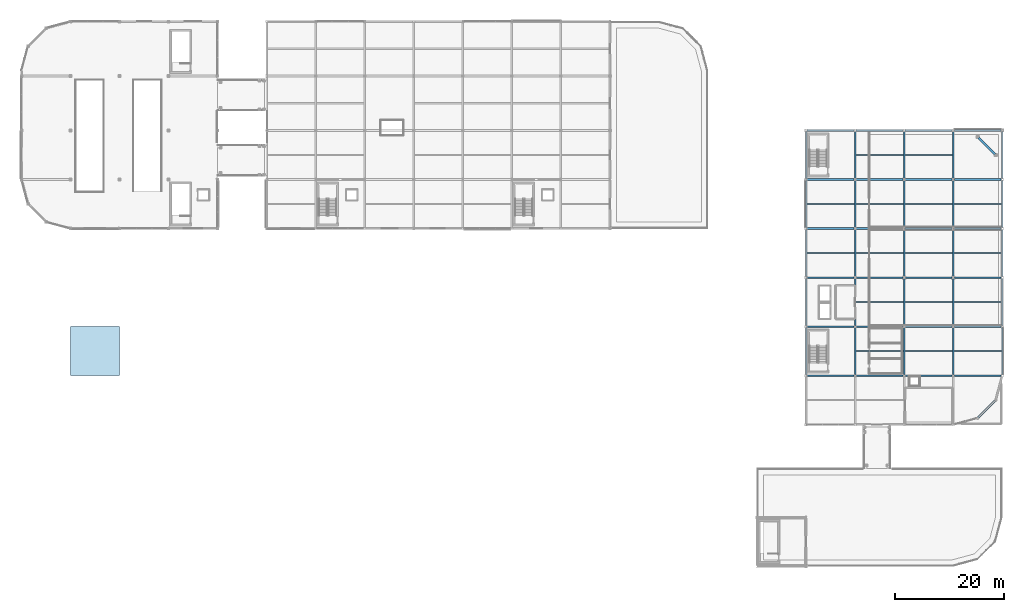
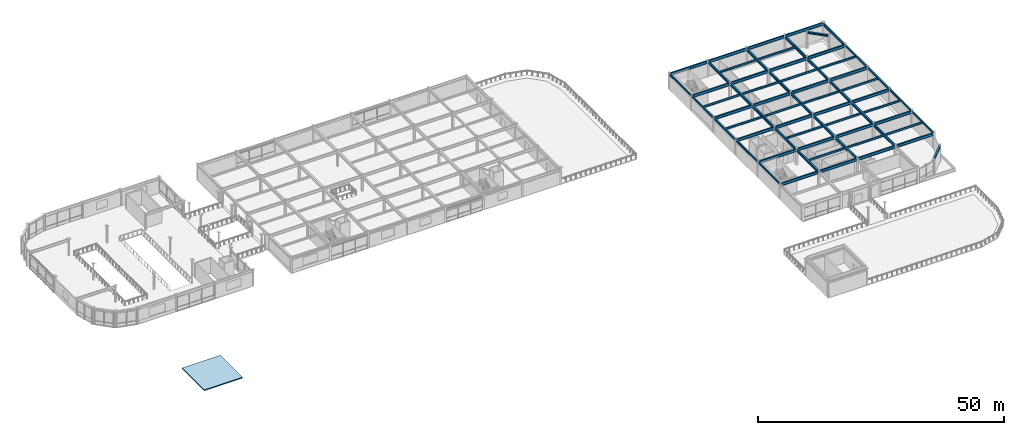
# One storey, part 30 of 53: 67 beams, 1 slab.
"""IFC4 building model written with IfcOpenShell, lengths in metres."""

from ifc_helpers import new_model, si_unit, direction, frame, origin, origin_2d, place, context, subcontext, project, spatial, polyline, i_section, outline, extrude, material, layer, layer_set, material_profile, profile_set, type_object, element, save


model = new_model("IFC4")

# Units and contexts
model_context = context("Model", 3, precision=1e-05, world=origin(), true_north=direction((0.0, 1.0)))
body_context = subcontext(model_context, "Body", "Model", "MODEL_VIEW")
ifc_project = project(units=[si_unit("LENGTHUNIT", "METRE"), si_unit("AREAUNIT", "SQUARE_METRE"), si_unit("VOLUMEUNIT", "CUBIC_METRE"), si_unit("PLANEANGLEUNIT", "RADIAN"), si_unit("MASSUNIT", "GRAM", prefix="KILO")], contexts=[model_context])

# Site, building, storey
site_placement = place(None, origin())
site = spatial("IfcSite", under=ifc_project, at=site_placement, CompositionType="ELEMENT")
building_placement = place(site_placement, origin())
building = spatial("IfcBuilding", under=site, at=building_placement, Name="Suzunagisa Mobility Hub", CompositionType="ELEMENT")
storey_placement = place(building_placement, frame((0.0, 0.0, 17.699951171875)))
storey = spatial("IfcBuildingStorey", under=building, at=storey_placement, Name="L04", CompositionType="ELEMENT", Elevation=17.699951171875)

# Beams
ifc_material_1 = material(Name="Steel SN490B", Category="steel")
ifc_material_profile_1 = material_profile(ifc_material_1, i_section(OverallWidth=0.300048828125, OverallDepth=0.64990234375, WebThickness=0.012939453125, FlangeThickness=0.02197265625, FilletRadius=0.01611328125, at=origin_2d()), Name="H-650x300x13x22")
ifc_profile_set_1 = profile_set([ifc_material_profile_1], Name="Steel SN490B")
beam_type_1 = type_object("IfcBeamType", Name="Steel Beam BM-10 H-650x300x13x22", PredefinedType="BEAM", material=ifc_profile_set_1)
for number, where, z_axis, x_axis, name in (
    (1, (153.0, 53.196044921875, 3.614990234375), (0.0, 1.0, 0.0), (-1.0, 0.0, 0.0), "L04 Primary Girder GY-2073"),
    (2, (153.0, 62.196044921875, 3.614990234375), (0.0, 1.0, 0.0), (-1.0, 0.0, 0.0), "L04 Primary Girder GY-2074"),
    (3, (153.0, 71.196044921875, 3.614990234375), (0.0, 1.0, 0.0), (-1.0, 0.0, 0.0), "L04 Primary Girder GY-2075"),
    (4, (153.0, 80.196044921875, 3.614990234375), (0.0, 1.0, 0.0), (-1.0, 0.0, 0.0), "L04 Primary Girder GY-2076"),
    (5, (153.0, 89.196044921875, 3.614990234375), (0.0, 1.0, 0.0), (-1.0, 0.0, 0.0), "L04 Primary Girder GY-2077"),
    (6, (162.0, 53.196044921875, 3.614990234375), (0.0, 1.0, 0.0), (-1.0, 0.0, 0.0), "L04 Primary Girder GY-2079"),
    (7, (162.0, 62.196044921875, 3.614990234375), (0.0, 1.0, 0.0), (-1.0, 0.0, 0.0), "L04 Primary Girder GY-2080"),
    (8, (162.0, 71.196044921875, 3.614990234375), (0.0, 1.0, 0.0), (-1.0, 0.0, 0.0), "L04 Primary Girder GY-2081"),
    (9, (162.0, 80.196044921875, 3.614990234375), (0.0, 1.0, 0.0), (-1.0, 0.0, 0.0), "L04 Primary Girder GY-2082"),
    (10, (162.0, 89.196044921875, 3.614990234375), (0.0, 1.0, 0.0), (-1.0, 0.0, 0.0), "L04 Primary Girder GY-2083"),
    (11, (171.0, 53.196044921875, 3.614990234375), (0.0, 1.0, 0.0), (-1.0, 0.0, 0.0), "L04 Primary Girder GY-2085"),
    (12, (171.0, 62.196044921875, 3.614990234375), (0.0, 1.0, 0.0), (-1.0, 0.0, 0.0), "L04 Primary Girder GY-2086"),
    (13, (171.0, 71.196044921875, 3.614990234375), (0.0, 1.0, 0.0), (-1.0, 0.0, 0.0), "L04 Primary Girder GY-2087"),
    (14, (171.0, 80.196044921875, 3.614990234375), (0.0, 1.0, 0.0), (-1.0, 0.0, 0.0), "L04 Primary Girder GY-2088"),
    (15, (171.0, 89.196044921875, 3.614990234375), (0.0, 1.0, 0.0), (-1.0, 0.0, 0.0), "L04 Primary Girder GY-2089"),
    (16, (180.0, 89.196044921875, 3.614990234375), (0.0, 1.0, 0.0), (-1.0, 0.0, 0.0), "L04 Primary Girder GY-2115"),
):
    element("IfcBeam", number, at=place(storey_placement, frame(where, z_axis=z_axis, x_axis=x_axis)), inside=storey, type_object=beam_type_1, Name=name, PredefinedType="BEAM", context=body_context, shape_type="SweptSolid", body=[
        extrude(i_section(OverallWidth=0.300048828125, OverallDepth=0.64990234375, WebThickness=0.012939453125, FlangeThickness=0.02197265625, FilletRadius=0.01611328125, at=origin_2d()), origin(), (0.0, 0.0, 1.0), 8.60791015625),
    ])
ifc_material_profile_2 = material_profile(ifc_material_1, i_section(OverallWidth=0.300048828125, OverallDepth=0.699951171875, WebThickness=0.012939453125, FlangeThickness=0.02392578125, FilletRadius=0.01806640625, at=origin_2d()), Name="H-700x300x13x24")
ifc_profile_set_2 = profile_set([ifc_material_profile_2], Name="Steel SN490B")
beam_type_2 = type_object("IfcBeamType", Name="Steel Beam BM-11 H-700x300x13x24", PredefinedType="BEAM", material=ifc_profile_set_2)
for number, where, z_axis, x_axis, name in (
    (17, (144.196044921875, 53.0, 3.590087890625), (1.0, 0.0, 0.0), (0.0, 1.0, 0.0), "L04 Primary Girder GX-2043"),
    (18, (153.196044921875, 53.0, 3.590087890625), (1.0, 0.0, 0.0), (0.0, 1.0, 0.0), "L04 Primary Girder GX-2044"),
    (19, (162.196044921875, 53.0, 3.590087890625), (1.0, 0.0, 0.0), (0.0, 1.0, 0.0), "L04 Primary Girder GX-2045"),
    (20, (171.196044921875, 53.0, 3.590087890625), (1.0, 0.0, 0.0), (0.0, 1.0, 0.0), "L04 Primary Girder GX-2046"),
    (21, (144.196044921875, 62.0, 3.590087890625), (1.0, 0.0, 0.0), (0.0, 1.0, 0.0), "L04 Primary Girder GX-2047"),
    (22, (153.196044921875, 62.0, 3.590087890625), (1.0, 0.0, 0.0), (0.0, 1.0, 0.0), "L04 Primary Girder GX-2048"),
    (23, (162.196044921875, 62.0, 3.590087890625), (1.0, 0.0, 0.0), (0.0, 1.0, 0.0), "L04 Primary Girder GX-2049"),
    (24, (171.196044921875, 62.0, 3.590087890625), (1.0, 0.0, 0.0), (0.0, 1.0, 0.0), "L04 Primary Girder GX-2050"),
    (25, (144.196044921875, 71.0, 3.590087890625), (1.0, 0.0, 0.0), (0.0, 1.0, 0.0), "L04 Primary Girder GX-2051"),
    (26, (153.196044921875, 71.0, 3.590087890625), (1.0, 0.0, 0.0), (0.0, 1.0, 0.0), "L04 Primary Girder GX-2052"),
    (27, (162.196044921875, 71.0, 3.590087890625), (1.0, 0.0, 0.0), (0.0, 1.0, 0.0), "L04 Primary Girder GX-2053"),
    (28, (171.196044921875, 71.0, 3.590087890625), (1.0, 0.0, 0.0), (0.0, 1.0, 0.0), "L04 Primary Girder GX-2054"),
    (29, (144.196044921875, 80.0, 3.590087890625), (1.0, 0.0, 0.0), (0.0, 1.0, 0.0), "L04 Primary Girder GX-2055"),
    (30, (153.196044921875, 80.0, 3.590087890625), (1.0, 0.0, 0.0), (0.0, 1.0, 0.0), "L04 Primary Girder GX-2056"),
    (31, (162.196044921875, 80.0, 3.590087890625), (1.0, 0.0, 0.0), (0.0, 1.0, 0.0), "L04 Primary Girder GX-2057"),
    (32, (171.196044921875, 80.0, 3.590087890625), (1.0, 0.0, 0.0), (0.0, 1.0, 0.0), "L04 Primary Girder GX-2058"),
    (33, (144.196044921875, 89.0, 3.590087890625), (1.0, 0.0, 0.0), (0.0, 1.0, 0.0), "L04 Primary Girder GX-2059"),
    (34, (153.196044921875, 89.0, 3.590087890625), (1.0, 0.0, 0.0), (0.0, 1.0, 0.0), "L04 Primary Girder GX-2060"),
    (35, (162.196044921875, 89.0, 3.590087890625), (1.0, 0.0, 0.0), (0.0, 1.0, 0.0), "L04 Primary Girder GX-2061"),
    (36, (171.196044921875, 89.0, 3.590087890625), (1.0, 0.0, 0.0), (0.0, 1.0, 0.0), "L04 Primary Girder GX-2062"),
    (37, (144.196044921875, 98.0, 3.590087890625), (1.0, 0.0, 0.0), (0.0, 1.0, 0.0), "L04 Primary Girder GX-2063"),
    (38, (153.196044921875, 98.0, 3.590087890625), (1.0, 0.0, 0.0), (0.0, 1.0, 0.0), "L04 Primary Girder GX-2064"),
    (39, (162.196044921875, 98.0, 3.590087890625), (1.0, 0.0, 0.0), (0.0, 1.0, 0.0), "L04 Primary Girder GX-2065"),
    (40, (171.196044921875, 98.0, 3.590087890625), (1.0, 0.0, 0.0), (0.0, 1.0, 0.0), "L04 Primary Girder GX-2114"),
):
    element("IfcBeam", number, at=place(storey_placement, frame(where, z_axis=z_axis, x_axis=x_axis)), inside=storey, type_object=beam_type_2, Name=name, PredefinedType="BEAM", context=body_context, shape_type="SweptSolid", body=[
        extrude(i_section(OverallWidth=0.300048828125, OverallDepth=0.699951171875, WebThickness=0.012939453125, FlangeThickness=0.02392578125, FilletRadius=0.01806640625, at=origin_2d()), origin(), (0.0, 0.0, 1.0), 8.60791015625),
    ])
ifc_material_profile_3 = material_profile(ifc_material_1, i_section(OverallWidth=0.39990234375, OverallDepth=0.39990234375, WebThickness=0.012939453125, FlangeThickness=0.02099609375, FilletRadius=0.01611328125, at=origin_2d()), Name="H-400x400x13x21")
ifc_profile_set_3 = profile_set([ifc_material_profile_3], Name="Steel SN490B")
beam_type_3 = type_object("IfcBeamType", Name="Steel Beam BM-12 H-400x400x13x21", PredefinedType="SPANDREL", material=ifc_profile_set_3)
for number, where, z_axis, x_axis, name in (
    (41, (175.625732421875, 45.33154296875, 3.739990234375), (0.707106781187, 0.707106781187, 0.0), (-0.707106781187, 0.707106781187, 0.0), "L04 Streamline Prow Spandrel 2094"),
    (42, (178.66845703125, 93.625732421875, 3.739990234375), (-0.707106781187, 0.707106781187, 0.0), (-0.707106781187, -0.707106781187, 0.0), "L04 Streamline Prow Spandrel 2095"),
):
    element("IfcBeam", number, at=place(storey_placement, frame(where, z_axis=z_axis, x_axis=x_axis)), inside=storey, type_object=beam_type_3, Name=name, PredefinedType="SPANDREL", context=body_context, shape_type="SweptSolid", body=[
        extrude(i_section(OverallWidth=0.39990234375, OverallDepth=0.39990234375, WebThickness=0.012939453125, FlangeThickness=0.02099609375, FilletRadius=0.01611328125, at=origin_2d()), origin(), (0.0, 0.0, 1.0), 4.302978515625),
    ])
ifc_material_profile_4 = material_profile(ifc_material_1, i_section(OverallWidth=0.300048828125, OverallDepth=0.389892578125, WebThickness=0.010009765625, FlangeThickness=0.01611328125, FilletRadius=0.012939453125, at=origin_2d()), Name="H-390x300x10x16")
ifc_profile_set_4 = profile_set([ifc_material_profile_4], Name="Steel SN490B")
beam_type_4 = type_object("IfcBeamType", Name="Steel Beam BM-13 H-390x300x10x16", PredefinedType="SPANDREL", material=ifc_profile_set_4)
for number, where, z_axis, x_axis, name in (
    (43, (144.0, 53.196044921875, 3.7451171875), (0.0, 1.0, 0.0), (-1.0, 0.0, 0.0), "L04 Primary Girder GY-2067"),
    (44, (144.0, 62.196044921875, 3.7451171875), (0.0, 1.0, 0.0), (-1.0, 0.0, 0.0), "L04 Primary Girder GY-2068"),
    (45, (144.0, 71.196044921875, 3.7451171875), (0.0, 1.0, 0.0), (-1.0, 0.0, 0.0), "L04 Primary Girder GY-2069"),
    (46, (144.0, 80.196044921875, 3.7451171875), (0.0, 1.0, 0.0), (-1.0, 0.0, 0.0), "L04 Primary Girder GY-2070"),
    (47, (144.0, 89.196044921875, 3.7451171875), (0.0, 1.0, 0.0), (-1.0, 0.0, 0.0), "L04 Primary Girder GY-2071"),
    (48, (180.0, 53.196044921875, 3.7451171875), (0.0, 1.0, 0.0), (-1.0, 0.0, 0.0), "L04 Primary Girder GY-2090"),
    (49, (180.0, 62.196044921875, 3.7451171875), (0.0, 1.0, 0.0), (-1.0, 0.0, 0.0), "L04 Primary Girder GY-2091"),
    (50, (180.0, 71.196044921875, 3.7451171875), (0.0, 1.0, 0.0), (-1.0, 0.0, 0.0), "L04 Primary Girder GY-2092"),
    (51, (180.0, 80.196044921875, 3.7451171875), (0.0, 1.0, 0.0), (-1.0, 0.0, 0.0), "L04 Primary Girder GY-2093"),
):
    element("IfcBeam", number, at=place(storey_placement, frame(where, z_axis=z_axis, x_axis=x_axis)), inside=storey, type_object=beam_type_4, Name=name, PredefinedType="SPANDREL", context=body_context, shape_type="SweptSolid", body=[
        extrude(i_section(OverallWidth=0.300048828125, OverallDepth=0.389892578125, WebThickness=0.010009765625, FlangeThickness=0.01611328125, FilletRadius=0.012939453125, at=origin_2d()), origin(), (0.0, 0.0, 1.0), 8.60791015625),
    ])
ifc_material_2 = material(Name="Steel SN400B", Category="steel")
ifc_material_profile_5 = material_profile(ifc_material_2, i_section(OverallWidth=0.199951171875, OverallDepth=0.5, WebThickness=0.010009765625, FlangeThickness=0.01611328125, FilletRadius=0.012939453125, at=origin_2d()), Name="H-500x200x10x16")
ifc_profile_set_5 = profile_set([ifc_material_profile_5], Name="Steel SN400B")
beam_type_5 = type_object("IfcBeamType", Name="Steel Beam BM-18 H-500x200x10x16", PredefinedType="JOIST", material=ifc_profile_set_5)
for number, where, z_axis, x_axis, name in (
    (52, (144.14990234375, 75.5, 3.68994140625), (1.0, 0.0, 0.0), (0.0, 1.0, 0.0), "L04 Composite Floor Joist J-2097"),
    (53, (144.14990234375, 84.5, 3.68994140625), (1.0, 0.0, 0.0), (0.0, 1.0, 0.0), "L04 Composite Floor Joist J-2098"),
    (54, (153.14990234375, 57.5, 3.68994140625), (1.0, 0.0, 0.0), (0.0, 1.0, 0.0), "L04 Composite Floor Joist J-2100"),
    (55, (153.14990234375, 66.5, 3.68994140625), (1.0, 0.0, 0.0), (0.0, 1.0, 0.0), "L04 Composite Floor Joist J-2101"),
    (56, (153.14990234375, 75.5, 3.68994140625), (1.0, 0.0, 0.0), (0.0, 1.0, 0.0), "L04 Composite Floor Joist J-2102"),
    (57, (153.14990234375, 84.5, 3.68994140625), (1.0, 0.0, 0.0), (0.0, 1.0, 0.0), "L04 Composite Floor Joist J-2103"),
    (58, (153.14990234375, 93.5, 3.68994140625), (1.0, 0.0, 0.0), (0.0, 1.0, 0.0), "L04 Composite Floor Joist J-2104"),
    (59, (162.14990234375, 57.5, 3.68994140625), (1.0, 0.0, 0.0), (0.0, 1.0, 0.0), "L04 Composite Floor Joist J-2105"),
    (60, (162.14990234375, 66.5, 3.68994140625), (1.0, 0.0, 0.0), (0.0, 1.0, 0.0), "L04 Composite Floor Joist J-2106"),
    (61, (162.14990234375, 75.5, 3.68994140625), (1.0, 0.0, 0.0), (0.0, 1.0, 0.0), "L04 Composite Floor Joist J-2107"),
    (62, (162.14990234375, 84.5, 3.68994140625), (1.0, 0.0, 0.0), (0.0, 1.0, 0.0), "L04 Composite Floor Joist J-2108"),
    (63, (162.14990234375, 93.5, 3.68994140625), (1.0, 0.0, 0.0), (0.0, 1.0, 0.0), "L04 Composite Floor Joist J-2109"),
    (64, (171.14990234375, 57.5, 3.68994140625), (1.0, 0.0, 0.0), (0.0, 1.0, 0.0), "L04 Composite Floor Joist J-2110"),
    (65, (171.14990234375, 66.5, 3.68994140625), (1.0, 0.0, 0.0), (0.0, 1.0, 0.0), "L04 Composite Floor Joist J-2111"),
    (66, (171.14990234375, 75.5, 3.68994140625), (1.0, 0.0, 0.0), (0.0, 1.0, 0.0), "L04 Composite Floor Joist J-2112"),
    (67, (171.14990234375, 84.5, 3.68994140625), (1.0, 0.0, 0.0), (0.0, 1.0, 0.0), "L04 Composite Floor Joist J-2113"),
):
    element("IfcBeam", number, at=place(storey_placement, frame(where, z_axis=z_axis, x_axis=x_axis)), inside=storey, type_object=beam_type_5, Name=name, PredefinedType="JOIST", context=body_context, shape_type="SweptSolid", body=[
        extrude(i_section(OverallWidth=0.199951171875, OverallDepth=0.5, WebThickness=0.010009765625, FlangeThickness=0.01611328125, FilletRadius=0.012939453125, at=origin_2d()), origin(), (0.0, 0.0, 1.0), 8.7001953125),
    ])

# Slab
ifc_material_3 = material(Name="Concrete C30/37", Category="concrete")
ifc_layer = layer(ifc_material_3, 0.260009765625)
ifc_layer_set = layer_set([ifc_layer], Name="Concrete C30/37")
slab_type = type_object("IfcSlabType", Name="Composite Slab SL-17 260mm", PredefinedType="ROOF", material=ifc_layer_set)
slab_placement = place(storey_placement, frame((0.0, 0.0, -0.260009765625)))
element("IfcSlab", 68, at=slab_placement, inside=storey, type_object=slab_type, Name="L04 Core C1 Roof Garden Penthouse Roof Slab", PredefinedType="ROOF", context=body_context, shape_type="SweptSolid", body=[
    extrude(outline(polyline([(9.0, 53.0), (18.0, 53.0), (18.0, 62.0), (9.0, 62.0), (9.0, 53.0)])), origin(), (0.0, 0.0, 1.0), 0.260009765625),
])

save(model, "model.ifc")
